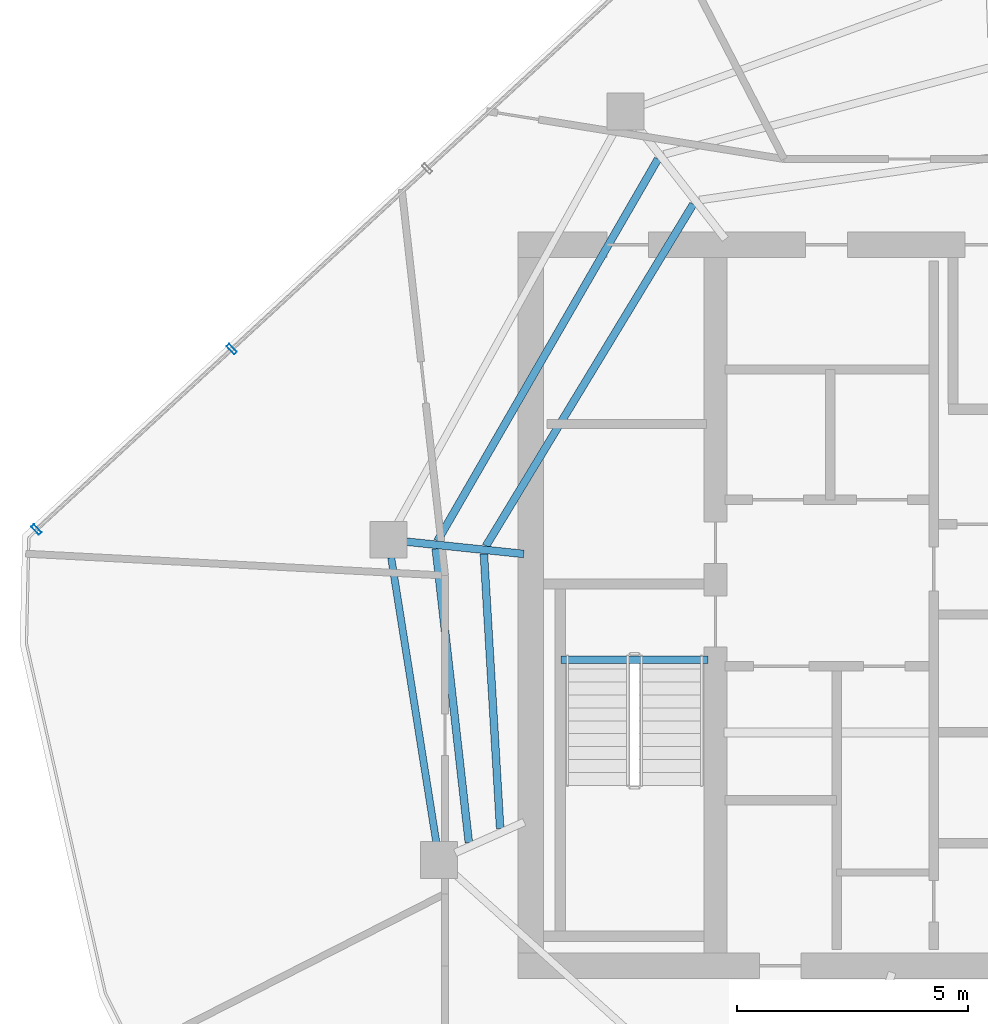
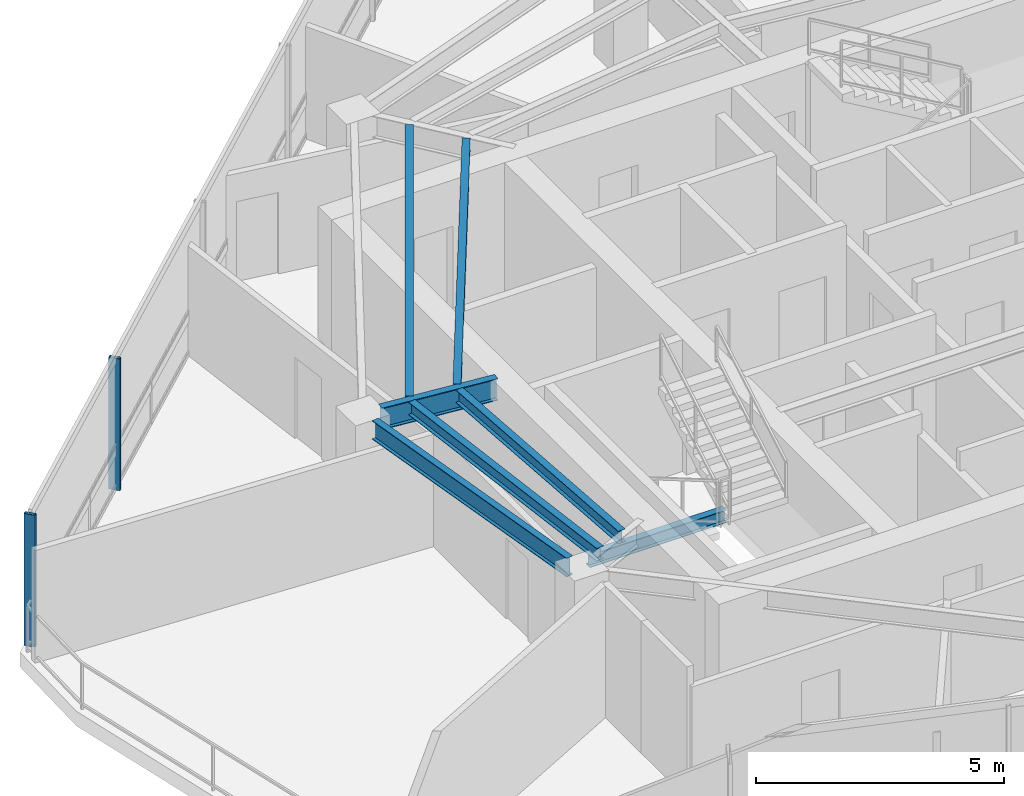
# One storey, part 5 of 19: 7 beams, 2 members, 1 element without a shape of its own.
"""IFC4 building model written with IfcOpenShell, lengths in metres."""

from ifc_helpers import new_model, si_unit, direction, frame, origin, origin_2d, place, context, subcontext, project, spatial, hollow_rectangle, i_section, extrude, material, layer, layer_set, material_profile, profile_set, type_object, element, aggregate, save


model = new_model("IFC4")

# Units and contexts
model_context = context("Model", 3, precision=1e-05, world=origin(), true_north=direction((0.0, 1.0)))
body_context = subcontext(model_context, "Body", "Model", "MODEL_VIEW")
ifc_project = project(units=[si_unit("LENGTHUNIT", "METRE"), si_unit("AREAUNIT", "SQUARE_METRE"), si_unit("VOLUMEUNIT", "CUBIC_METRE"), si_unit("PLANEANGLEUNIT", "RADIAN"), si_unit("MASSUNIT", "GRAM", prefix="KILO")], contexts=[model_context])

# Site, building, storey
site_placement = place(None, origin())
site = spatial("IfcSite", under=ifc_project, at=site_placement, CompositionType="ELEMENT")
building_placement = place(site_placement, origin())
building = spatial("IfcBuilding", under=site, at=building_placement, Name="Qarnah Convention Tower", CompositionType="ELEMENT")
storey_placement = place(building_placement, frame((0.0, 0.0, 228.300048828125)))
storey = spatial("IfcBuildingStorey", under=building, at=storey_placement, Name="L61", CompositionType="ELEMENT", Elevation=228.300048828125)

# Beams
ifc_material_1 = material(Name="Structural steel S355JR", Category="steel")
ifc_material_profile_1 = material_profile(ifc_material_1, i_section(OverallWidth=0.166015625, OverallDepth=0.31201171875, WebThickness=0.007080078125, FlangeThickness=0.010986328125, at=origin_2d()), Name="W310X45")
ifc_profile_set_1 = profile_set([ifc_material_profile_1], Name="Structural steel S355JR")
beam_type_1 = type_object("IfcBeamType", Name="BM-JST-W310", PredefinedType="JOIST", material=ifc_profile_set_1)
beam_1_placement = place(storey_placement, frame((27.4599609375, 25.217041015625, -0.156005859375), z_axis=(1.0, 0.0, 0.0), x_axis=(0.0, 1.0, 0.0)))
element("IfcBeam", 1, at=beam_1_placement, inside=storey, type_object=beam_type_1, Name="L61 stair landing trimmer beam BM-L61-ST1-TRM", PredefinedType="BEAM", context=body_context, shape_type="SweptSolid", body=[
    extrude(i_section(OverallWidth=0.166015625, OverallDepth=0.31201171875, WebThickness=0.007080078125, FlangeThickness=0.010986328125, at=origin_2d()), origin(), (0.0, 0.0, 1.0), 3.179931640625),
])
beam_2_placement = place(storey_placement, frame((29.554931640625, 36.050048828125, 3.083984375), z_axis=(-0.500030323517, -0.866007895786, 0.0), x_axis=(0.866007895786, -0.500030323517, 0.0)))
element("IfcBeam", 2, at=beam_2_placement, inside=storey, type_object=beam_type_1, Name="L61 joist BM-L61-SJST-04", PredefinedType="JOIST", context=body_context, shape_type="SweptSolid", body=[
    extrude(i_section(OverallWidth=0.166015625, OverallDepth=0.31201171875, WebThickness=0.007080078125, FlangeThickness=0.010986328125, at=origin_2d()), origin(), (0.0, 0.0, 1.0), 9.54150390625),
])
beam_3_placement = place(storey_placement, frame((24.7490234375, 27.6201171875, 3.083984375), z_axis=(0.111886248567, -0.993721020902, 0.0), x_axis=(0.993721020902, 0.111886248567, 0.0)))
element("IfcBeam", 3, at=beam_3_placement, inside=storey, type_object=beam_type_1, Name="L61 joist BM-L61-SJST-05", PredefinedType="JOIST", context=body_context, shape_type="SweptSolid", body=[
    extrude(i_section(OverallWidth=0.166015625, OverallDepth=0.31201171875, WebThickness=0.007080078125, FlangeThickness=0.010986328125, at=origin_2d()), origin(), (0.0, 0.0, 1.0), 6.39111328125),
])
beam_4_placement = place(storey_placement, frame((30.31689453125, 35.072998046875, 3.083984375), z_axis=(-0.518508134219, -0.855072695593, 0.0), x_axis=(0.855072695593, -0.518508134219, 0.0)))
element("IfcBeam", 4, at=beam_4_placement, inside=storey, type_object=beam_type_1, Name="L61 joist BM-L61-IJST-04", PredefinedType="JOIST", context=body_context, shape_type="SweptSolid", body=[
    extrude(i_section(OverallWidth=0.166015625, OverallDepth=0.31201171875, WebThickness=0.007080078125, FlangeThickness=0.010986328125, at=origin_2d()), origin(), (0.0, 0.0, 1.0), 8.649658203125),
])
beam_5_placement = place(storey_placement, frame((25.7900390625, 27.510009765625, 3.083984375), z_axis=(0.059154877701, -0.998248816901, 0.0), x_axis=(0.998248816901, 0.059154877701, 0.0)))
element("IfcBeam", 5, at=beam_5_placement, inside=storey, type_object=beam_type_1, Name="L61 joist BM-L61-IJST-05", PredefinedType="JOIST", context=body_context, shape_type="SweptSolid", body=[
    extrude(i_section(OverallWidth=0.166015625, OverallDepth=0.31201171875, WebThickness=0.007080078125, FlangeThickness=0.010986328125, at=origin_2d()), origin(), (0.0, 0.0, 1.0), 5.951416015625),
])
ifc_material_profile_2 = material_profile(ifc_material_1, i_section(OverallWidth=0.166015625, OverallDepth=0.535888671875, WebThickness=0.010009765625, FlangeThickness=0.01708984375, at=origin_2d()), Name="W530X85")
ifc_profile_set_2 = profile_set([ifc_material_profile_2], Name="Structural steel S355JR")
beam_type_2 = type_object("IfcBeamType", Name="BM-RAD-W530B", PredefinedType="BEAM", material=ifc_profile_set_2)
beam_6_placement = place(storey_placement, frame((26.65087890625, 27.509033203125, 2.971923828125), z_axis=(-0.994564280912, 0.104124402207, 0.0), x_axis=(-0.104124402207, -0.994564280912, 0.0)))
element("IfcBeam", 6, at=beam_6_placement, inside=storey, type_object=beam_type_2, Name="L61 beam BM-L61-RAD-05", PredefinedType="BEAM", context=body_context, shape_type="SweptSolid", body=[
    extrude(i_section(OverallWidth=0.166015625, OverallDepth=0.535888671875, WebThickness=0.010009765625, FlangeThickness=0.01708984375, at=origin_2d()), origin(), (0.0, 0.0, 1.0), 2.562744140625),
])
ifc_material_profile_3 = material_profile(ifc_material_1, i_section(OverallWidth=0.154052734375, OverallDepth=0.4599609375, WebThickness=0.009033203125, FlangeThickness=0.014892578125, at=origin_2d()), Name="W460X68")
ifc_profile_set_3 = profile_set([ifc_material_profile_3], Name="Structural steel S355JR")
beam_type_3 = type_object("IfcBeamType", Name="BM-SPN-W460B", PredefinedType="SPANDREL", material=ifc_profile_set_3)
beam_7_placement = place(storey_placement, frame((23.784912109375, 27.430908203125, 3.010009765625), z_axis=(0.156423110156, -0.987690138965, 0.0), x_axis=(0.987690138965, 0.156423110156, 0.0)))
element("IfcBeam", 7, at=beam_7_placement, inside=storey, type_object=beam_type_3, Name="L61 spandrel BM-L61-SPN-05", PredefinedType="SPANDREL", context=body_context, shape_type="SweptSolid", body=[
    extrude(i_section(OverallWidth=0.154052734375, OverallDepth=0.4599609375, WebThickness=0.009033203125, FlangeThickness=0.014892578125, at=origin_2d()), origin(), (0.0, 0.0, 1.0), 6.233642578125),
])

# Curtain wall, members
ifc_material_2 = material(Name="Tempered Low-E dark glass", Category="glass")
ifc_layer = layer(ifc_material_2, 0.176025390625)
ifc_layer_set = layer_set([ifc_layer], Name="Tempered Low-E dark glass")
curtain_wall_type = type_object("IfcCurtainWallType", Name="CWS-05", PredefinedType="NOTDEFINED", material=ifc_layer_set)
curtain_wall_placement = place(storey_placement, origin())
curtain_wall = element("IfcCurtainWall", 8, at=curtain_wall_placement, inside=storey, type_object=curtain_wall_type, Name="L61 unitised curtain wall CW-L61-F1", PredefinedType="NOTDEFINED")
ifc_material_3 = material(Name="Black anodised aluminium", Category="aluminium")
ifc_material_profile_4 = material_profile(ifc_material_3, hollow_rectangle(XDim=0.080078125, YDim=0.239990234375, WallThickness=0.0048828125, at=origin_2d()), Name="MUL-80X240")
ifc_profile_set_4 = profile_set([ifc_material_profile_4], Name="Black anodised aluminium")
member_type = type_object("IfcMemberType", Name="MUL-T5", PredefinedType="MULLION", material=ifc_profile_set_4)
member_1_placement = place(storey_placement, frame((16.111083984375, 28.0390625, 0.0), z_axis=(0.0, 0.0, 1.0), x_axis=(0.734656810589, 0.678438921831, 0.0)))
member_1 = element("IfcMember", 9, at=member_1_placement, type_object=member_type, Name="CW-L61-F1 mullion 1", PredefinedType="MULLION", context=body_context, shape_type="SweptSolid", body=[
    extrude(hollow_rectangle(XDim=0.080078125, YDim=0.239990234375, WallThickness=0.0048828125, at=origin_2d()), origin(), (0.0, 0.0, 1.0), 3.239990234375),
])
member_2_placement = place(storey_placement, frame((20.337158203125, 31.94189453125, 0.0), z_axis=(0.0, 0.0, 1.0), x_axis=(0.734656810589, 0.678438921831, 0.0)))
member_2 = element("IfcMember", 10, at=member_2_placement, type_object=member_type, Name="CW-L61-F1 mullion 2", PredefinedType="MULLION", context=body_context, shape_type="SweptSolid", body=[
    extrude(hollow_rectangle(XDim=0.080078125, YDim=0.239990234375, WallThickness=0.0048828125, at=origin_2d()), origin(), (0.0, 0.0, 1.0), 3.239990234375),
])
aggregate(curtain_wall, [member_1, member_2])

save(model, "model.ifc")
